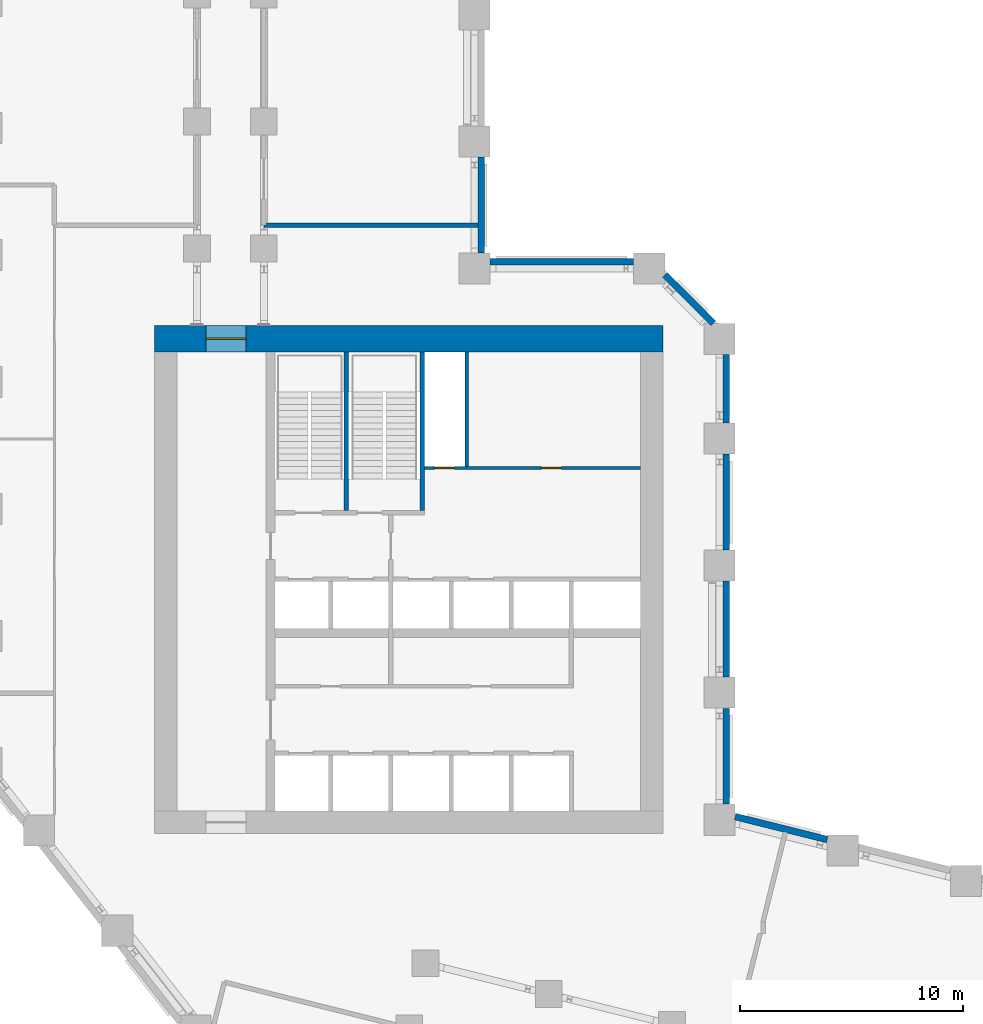
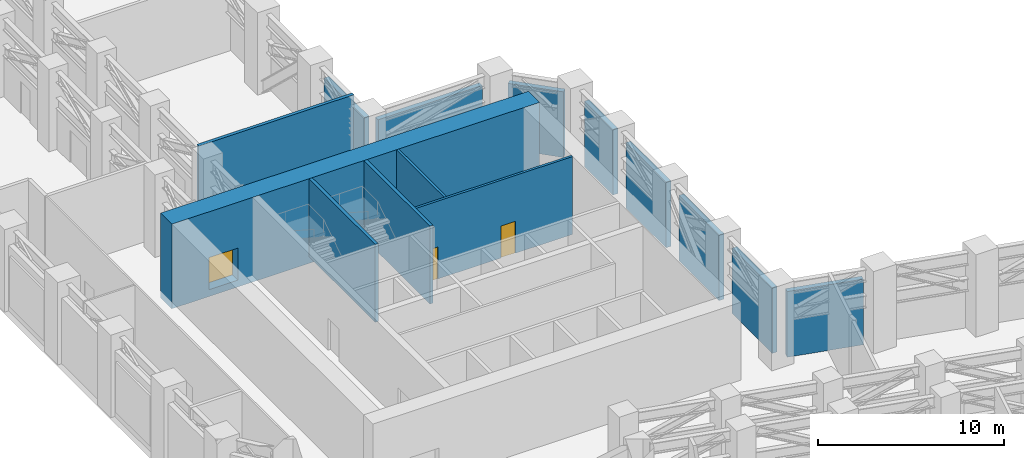
# One storey, part 9 of 14: 14 walls, 3 doors, 3 openings.
"""IFC4 building model written with IfcOpenShell, lengths in metres."""

from ifc_helpers import new_model, si_unit, direction, frame, frame_2d, origin, place, context, subcontext, project, spatial, rectangle, extrude, material, layer, layer_set, type_object, element, fill, save


model = new_model("IFC4")

# Units and contexts
model_context = context("Model", 3, precision=1e-05, world=origin(), true_north=direction((0.0, 1.0)))
body_context = subcontext(model_context, "Body", "Model", "MODEL_VIEW")
ifc_project = project(units=[si_unit("LENGTHUNIT", "METRE"), si_unit("AREAUNIT", "SQUARE_METRE"), si_unit("VOLUMEUNIT", "CUBIC_METRE"), si_unit("PLANEANGLEUNIT", "RADIAN"), si_unit("MASSUNIT", "GRAM", prefix="KILO")], contexts=[model_context])

# Site, building, storey
site_placement = place(None, origin())
site = spatial("IfcSite", under=ifc_project, at=site_placement, CompositionType="ELEMENT")
building_placement = place(site_placement, origin())
building = spatial("IfcBuilding", under=site, at=building_placement, Name="Meshkara Civic Tower", CompositionType="ELEMENT")
storey_placement = place(building_placement, frame((0.0, 0.0, 91.800048828125)))
storey = spatial("IfcBuildingStorey", under=building, at=storey_placement, Name="L20", CompositionType="ELEMENT", Elevation=91.800048828125)

# Wall, openings, doors
ifc_material_1 = material(Name="Blockwork", Category="masonry")
ifc_layer_1 = layer(ifc_material_1, 0.14990234375)
ifc_layer_set_1 = layer_set([ifc_layer_1], Name="Core partition 150")
wall_type_1 = type_object("IfcWallType", Name="Core partition 150", PredefinedType="PARTITIONING", material=ifc_layer_set_1)
wall_1_placement = place(storey_placement, frame((20.10009765625, 30.5, 0.0), z_axis=(0.0, 0.0, 1.0), x_axis=(1.0, 0.0, 0.0)))
wall_1 = element("IfcWall", 1, at=wall_1_placement, inside=storey, type_object=wall_type_1, Name="L20-C010", PredefinedType="PARTITIONING", context=body_context, shape_type="SweptSolid", body=[
    extrude(rectangle(XDim=9.699951171875, YDim=0.14990234375, at=frame_2d((4.85009765625, 0.0))), origin(), (0.0, 0.0, 1.0), 5.099853515625),
])
opening_1_placement = place(wall_1_placement, frame((0.449951171875, 0.0, 0.0)))
opening_1 = element("IfcOpeningElement", 2, at=opening_1_placement, cuts=wall_1, Name="Opening L20-K012", PredefinedType="OPENING", context=body_context, shape_type="SweptSolid", body=[
    extrude(rectangle(XDim=0.89990234375, YDim=2.10009765625, at=frame_2d((0.449951171875, 1.050048828125))), frame((0.0, 0.0849609375, 0.0), z_axis=(0.0, -1.0, 0.0), x_axis=(1.0, 0.0, 0.0)), (0.0, 0.0, 1.0), 0.169921875),
])
opening_2_placement = place(wall_1_placement, frame((5.25, 0.0, 0.0)))
opening_2 = element("IfcOpeningElement", 3, at=opening_2_placement, cuts=wall_1, Name="Opening L20-K013", PredefinedType="OPENING", context=body_context, shape_type="SweptSolid", body=[
    extrude(rectangle(XDim=0.89990234375, YDim=2.10009765625, at=frame_2d((0.449951171875, 1.050048828125))), frame((0.0, 0.0849609375, 0.0), z_axis=(0.0, -1.0, 0.0), x_axis=(1.0, 0.0, 0.0)), (0.0, 0.0, 1.0), 0.169921875),
])
ifc_material_2 = material(Name="Timber door leaf in steel frame", Category="steel")
door_type_1 = type_object("IfcDoorType", Name="Core room door 900", OperationType="SINGLE_SWING_LEFT", PredefinedType="DOOR", material=ifc_material_2)
door_1_placement = place(opening_2_placement, origin())
door_1 = element("IfcDoor", 4, at=door_1_placement, inside=storey, type_object=door_type_1, Name="L20-K013", OperationType="SINGLE_SWING_LEFT", OverallHeight=2.10009765625, OverallWidth=0.89990234375, PredefinedType="DOOR", context=body_context, shape_type="SweptSolid", body=[
    extrude(rectangle(XDim=0.89990234375, YDim=2.10009765625, at=frame_2d((0.449951171875, 1.050048828125))), frame((0.0, 0.02490234375, 0.0), z_axis=(0.0, -1.0, 0.0), x_axis=(1.0, 0.0, 0.0)), (0.0, 0.0, 1.0), 0.050048828125),
])
fill(opening_2, door_1)
ifc_material_3 = material(Name="Fire-rated door leaf in steel frame", Category="steel")
door_type_2 = type_object("IfcDoorType", Name="Riser door 900", OperationType="SINGLE_SWING_LEFT", PredefinedType="DOOR", material=ifc_material_3)
door_2_placement = place(opening_1_placement, origin())
door_2 = element("IfcDoor", 5, at=door_2_placement, inside=storey, type_object=door_type_2, Name="L20-K012", OperationType="SINGLE_SWING_RIGHT", OverallHeight=2.10009765625, OverallWidth=0.89990234375, PredefinedType="DOOR", context=body_context, shape_type="SweptSolid", body=[
    extrude(rectangle(XDim=0.89990234375, YDim=2.10009765625, at=frame_2d((0.449951171875, 1.050048828125))), frame((0.0, 0.02490234375, 0.0), z_axis=(0.0, -1.0, 0.0), x_axis=(1.0, 0.0, 0.0)), (0.0, 0.0, 1.0), 0.050048828125),
])
fill(opening_1, door_2)

# Wall
wall_2_placement = place(storey_placement, frame((22.0, 30.574951171875, 0.0), z_axis=(0.0, 0.0, 1.0), x_axis=(0.0, 1.0, 0.0)))
element("IfcWall", 6, at=wall_2_placement, inside=storey, type_object=wall_type_1, Name="L20-C020", PredefinedType="PARTITIONING", context=body_context, shape_type="SweptSolid", body=[
    extrude(rectangle(XDim=5.125, YDim=0.14990234375, at=frame_2d((2.5625, 0.0))), origin(), (0.0, 0.0, 1.0), 5.099853515625),
])

# Wall, opening, door
ifc_material_4 = material(Name="Concrete C80", Category="concrete")
ifc_layer_2 = layer(ifc_material_4, 1.199951171875)
ifc_layer_set_2 = layer_set([ifc_layer_2], Name="Core ring wall 1200 C80")
wall_type_2 = type_object("IfcWallType", Name="Core ring wall 1200 C80", PredefinedType="SHEAR", material=ifc_layer_set_2)
wall_3_placement = place(storey_placement, frame((8.0, 36.300048828125, -0.449951171875), z_axis=(0.0, 0.0, 1.0), x_axis=(1.0, 0.0, 0.0)))
wall_3 = element("IfcWall", 7, at=wall_3_placement, inside=storey, type_object=wall_type_2, Name="L20-C002", PredefinedType="SHEAR", context=body_context, shape_type="SweptSolid", body=[
    extrude(rectangle(XDim=22.800048828125, YDim=1.199951171875, at=frame_2d((11.39990234375, 0.0))), origin(), (0.0, 0.0, 1.0), 5.5498046875),
])
opening_3_placement = place(wall_3_placement, frame((2.300048828125, 0.0, 0.449951171875)))
opening_3 = element("IfcOpeningElement", 8, at=opening_3_placement, cuts=wall_3, Name="Opening L20-K019", PredefinedType="OPENING", context=body_context, shape_type="SweptSolid", body=[
    extrude(rectangle(XDim=1.800048828125, YDim=2.10009765625, at=frame_2d((0.89990234375, 1.050048828125))), frame((0.0, 0.60986328125, 0.0), z_axis=(0.0, -1.0, 0.0), x_axis=(1.0, 0.0, 0.0)), (0.0, 0.0, 1.0), 1.219970703125),
])
ifc_material_5 = material(Name="Fire-rated door leaf in steel frame", Category="steel")
door_type_3 = type_object("IfcDoorType", Name="Core double door 1800 EI 60", OperationType="DOUBLE_DOOR_SINGLE_SWING", PredefinedType="DOOR", material=ifc_material_5)
door_3_placement = place(opening_3_placement, origin())
door_3 = element("IfcDoor", 9, at=door_3_placement, inside=storey, type_object=door_type_3, Name="L20-K019", OperationType="DOUBLE_DOOR_SINGLE_SWING", OverallHeight=2.10009765625, OverallWidth=1.800048828125, PredefinedType="DOOR", context=body_context, shape_type="SweptSolid", body=[
    extrude(rectangle(XDim=1.800048828125, YDim=2.10009765625, at=frame_2d((0.89990234375, 1.050048828125))), frame((0.0, 0.02490234375, 0.0), z_axis=(0.0, -1.0, 0.0), x_axis=(1.0, 0.0, 0.0)), (0.0, 0.0, 1.0), 0.050048828125),
])
fill(opening_3, door_3)

# Walls
ifc_material_6 = material(Name="Insulated infill panel with bronze anodised aluminium cladding", Category="aluminium")
ifc_layer_3 = layer(ifc_material_6, 0.300048828125)
ifc_layer_set_3 = layer_set([ifc_layer_3], Name="EXTERNAL INFILL WALL 300")
wall_type_3 = type_object("IfcWallType", Name="EXTERNAL INFILL WALL 300", PredefinedType="SOLIDWALL", material=ifc_layer_set_3)
wall_4_placement = place(storey_placement, frame((38.180908203125, 13.823974609375, 0.0), z_axis=(0.0, 0.0, 1.0), x_axis=(-0.970290742877, 0.241941882045, 0.0)))
element("IfcWall", 10, at=wall_4_placement, inside=storey, type_object=wall_type_3, Name="External wall", PredefinedType="SOLIDWALL", context=body_context, shape_type="SweptSolid", body=[
    extrude(rectangle(XDim=4.25732421875, YDim=0.300048828125, at=frame_2d((2.128662109375, 0.0))), origin(), (0.0, 0.0, 1.0), 4.300048828125),
])
for number, where, z_axis, x_axis, name in (
    (11, (33.64990234375, 15.4189453125, 0.0), (0.0, 0.0, 1.0), (0.0, 1.0, 0.0), "External wall"),
    (12, (33.64990234375, 21.118896484375, 0.0), (0.0, 0.0, 1.0), (0.0, 1.0, 0.0), "External wall"),
):
    element("IfcWall", number, at=place(storey_placement, frame(where, z_axis=z_axis, x_axis=x_axis)), inside=storey, type_object=wall_type_3, Name=name, PredefinedType="SOLIDWALL", context=body_context, shape_type="SweptSolid", body=[
        extrude(rectangle(XDim=4.300048828125, YDim=0.300048828125, at=frame_2d((2.14990234375, 0.0))), origin(), (0.0, 0.0, 1.0), 4.300048828125),
    ])
wall_5_placement = place(storey_placement, frame((33.64990234375, 26.819091796875, 0.0), z_axis=(0.0, 0.0, 1.0), x_axis=(0.0, 1.0, 0.0)))
element("IfcWall", 13, at=wall_5_placement, inside=storey, type_object=wall_type_3, Name="External wall", PredefinedType="SOLIDWALL", context=body_context, shape_type="SweptSolid", body=[
    extrude(rectangle(XDim=4.2998046875, YDim=0.300048828125, at=frame_2d((2.14990234375, 0.0))), origin(), (0.0, 0.0, 1.0), 4.300048828125),
])
wall_6_placement = place(storey_placement, frame((33.64990234375, 32.51904296875, 0.0), z_axis=(0.0, 0.0, 1.0), x_axis=(0.0, 1.0, 0.0)))
element("IfcWall", 14, at=wall_6_placement, inside=storey, type_object=wall_type_3, Name="External wall", PredefinedType="SOLIDWALL", context=body_context, shape_type="SweptSolid", body=[
    extrude(rectangle(XDim=3.073974609375, YDim=0.300048828125, at=frame_2d((1.537109375, 0.0))), origin(), (0.0, 0.0, 1.0), 4.300048828125),
])
wall_7_placement = place(storey_placement, frame((33.073974609375, 36.993896484375, 0.0), z_axis=(0.0, 0.0, 1.0), x_axis=(-0.707067186216, 0.70714637394, 0.0)))
element("IfcWall", 15, at=wall_7_placement, inside=storey, type_object=wall_type_3, Name="External wall", PredefinedType="SOLIDWALL", context=body_context, shape_type="SweptSolid", body=[
    extrude(rectangle(XDim=3.0830078125, YDim=0.300048828125, at=frame_2d((1.54150390625, 0.0))), origin(), (0.0, 0.0, 1.0), 4.300048828125),
])
wall_8_placement = place(storey_placement, frame((29.493896484375, 39.75, 0.0), z_axis=(0.0, 0.0, 1.0), x_axis=(-1.0, 0.0, 0.0)))
element("IfcWall", 16, at=wall_8_placement, inside=storey, type_object=wall_type_3, Name="External wall", PredefinedType="SOLIDWALL", context=body_context, shape_type="SweptSolid", body=[
    extrude(rectangle(XDim=6.44384765625, YDim=0.300048828125, at=frame_2d((3.221923828125, 0.0))), origin(), (0.0, 0.0, 1.0), 4.300048828125),
])
wall_9_placement = place(storey_placement, frame((22.64990234375, 40.15087890625, 0.0), z_axis=(0.0, 0.0, 1.0), x_axis=(0.0, 1.0, 0.0)))
element("IfcWall", 17, at=wall_9_placement, inside=storey, type_object=wall_type_3, Name="External wall", PredefinedType="SOLIDWALL", context=body_context, shape_type="SweptSolid", body=[
    extrude(rectangle(XDim=4.299072265625, YDim=0.300048828125, at=frame_2d((2.1494140625, 0.0))), origin(), (0.0, 0.0, 1.0), 4.300048828125),
])
ifc_material_7 = material(Name="Fire-rated wall 200")
ifc_layer_4 = layer(ifc_material_7, 0.199951171875)
ifc_layer_set_4 = layer_set([ifc_layer_4], Name="Fire-rated wall 200")
wall_type_4 = type_object("IfcWallType", Name="Fire-rated wall 200", PredefinedType="PARTITIONING", material=ifc_layer_set_4)
wall_10_placement = place(storey_placement, frame((22.52001953125, 41.39990234375, 0.0), z_axis=(0.0, 0.0, 1.0), x_axis=(-1.0, 0.0, 0.0)))
element("IfcWall", 18, at=wall_10_placement, inside=storey, type_object=wall_type_4, Name="L20-R016", PredefinedType="PARTITIONING", context=body_context, shape_type="SweptSolid", body=[
    extrude(rectangle(XDim=9.6201171875, YDim=0.199951171875, at=frame_2d((4.81005859375, 0.0))), origin(), (0.0, 0.0, 1.0), 5.099853515625),
])
ifc_material_8 = material(Name="Concrete C40/50", Category="concrete")
ifc_layer_5 = layer(ifc_material_8, 0.199951171875)
ifc_layer_set_5 = layer_set([ifc_layer_5], Name="Stair enclosure wall 200 C40/50")
wall_type_5 = type_object("IfcWallType", Name="Stair enclosure wall 200 C40/50", PredefinedType="SOLIDWALL", material=ifc_layer_set_5)
for number, where, z_axis, x_axis, name in (
    (19, (16.60009765625, 28.60009765625, 0.0), (0.0, 0.0, 1.0), (0.0, 1.0, 0.0), "L20-C014"),
    (20, (20.0, 28.60009765625, 0.0), (0.0, 0.0, 1.0), (0.0, 1.0, 0.0), "L20-C017"),
):
    element("IfcWall", number, at=place(storey_placement, frame(where, z_axis=z_axis, x_axis=x_axis)), inside=storey, type_object=wall_type_5, Name=name, PredefinedType="SOLIDWALL", context=body_context, shape_type="SweptSolid", body=[
        extrude(rectangle(XDim=7.099853515625, YDim=0.199951171875, at=frame_2d((3.5498046875, 0.0))), origin(), (0.0, 0.0, 1.0), 5.099853515625),
    ])

save(model, "model.ifc")
